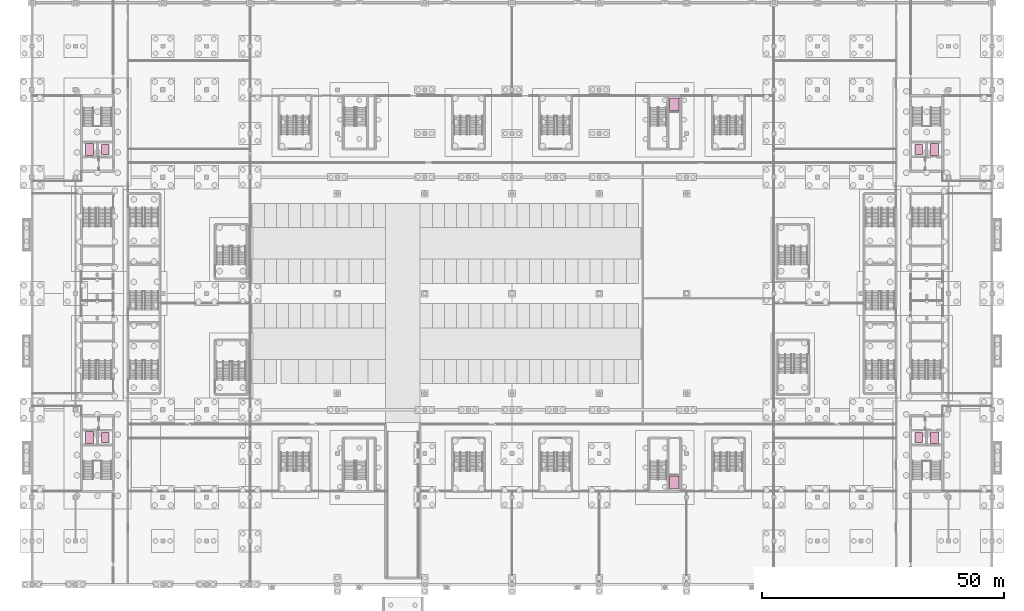
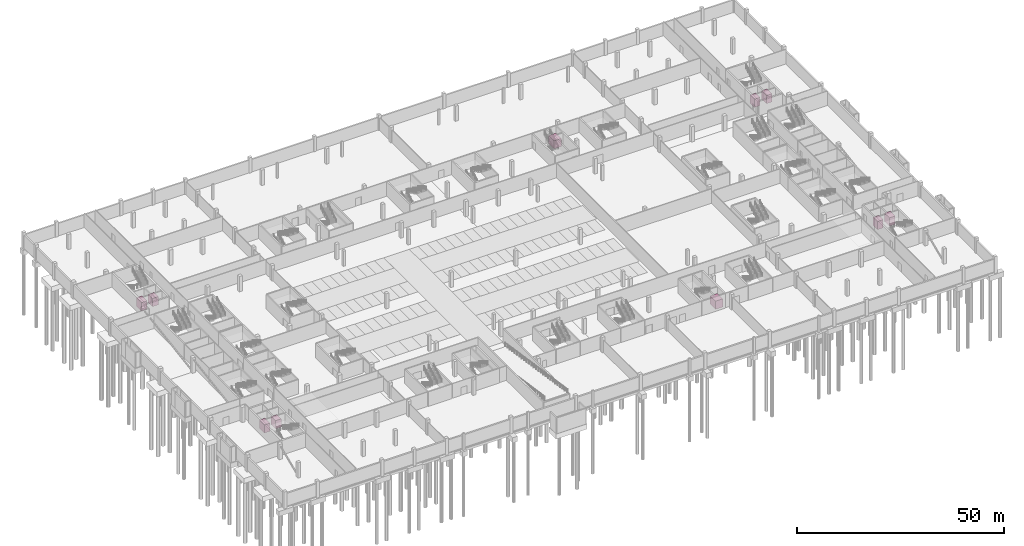
# One storey, part 46 of 46: 10 transport elements.
"""IFC4 building model written with IfcOpenShell, lengths in metres."""

from ifc_helpers import new_model, si_unit, direction, frame, origin, origin_2d, place, context, subcontext, project, spatial, rectangle, extrude, material, type_object, element, save


model = new_model("IFC4")

# Units and contexts
model_context = context("Model", 3, precision=1e-05, world=origin(), true_north=direction((0.0, 1.0)))
body_context = subcontext(model_context, "Body", "Model", "MODEL_VIEW")
ifc_project = project(units=[si_unit("LENGTHUNIT", "METRE"), si_unit("AREAUNIT", "SQUARE_METRE"), si_unit("VOLUMEUNIT", "CUBIC_METRE"), si_unit("PLANEANGLEUNIT", "RADIAN"), si_unit("MASSUNIT", "GRAM", prefix="KILO")], contexts=[model_context])

# Site, building, storey
site_placement = place(None, origin())
site = spatial("IfcSite", under=ifc_project, at=site_placement, CompositionType="ELEMENT")
building_placement = place(site_placement, origin())
building = spatial("IfcBuilding", under=site, at=building_placement, Name="Kisiwana Market Hall", CompositionType="ELEMENT")
storey_placement = place(building_placement, frame((0.0, 0.0, -4.5)))
storey = spatial("IfcBuildingStorey", under=building, at=storey_placement, Name="B1", CompositionType="ELEMENT", Elevation=-4.5)

# Transport elements
ifc_material_1 = material(Name="Steel S275", Category="steel")
transport_element_type_1 = type_object("IfcTransportElementType", Name="LIFT-FFL-1600", PredefinedType="ELEVATOR", material=ifc_material_1)
for number, where, z_axis, x_axis, name in (
    (1, (11.882568359375, 30.31494140625, 0.0), (0.0, 0.0, 1.0), (1.0, 0.0, 0.0), "Firefighting lift FFL-01"),
    (2, (11.882568359375, 89.68505859375, 0.0), (0.0, 0.0, 1.0), (1.0, 0.0, 0.0), "Firefighting lift FFL-02"),
    (3, (186.1298828125, 30.2900390625, 0.0), (0.0, 0.0, 1.0), (1.0, 0.0, 0.0), "Firefighting lift FFL-03"),
    (4, (186.1298828125, 89.7099609375, 0.0), (0.0, 0.0, 1.0), (1.0, 0.0, 0.0), "Firefighting lift FFL-04"),
):
    element("IfcTransportElement", number, at=place(storey_placement, frame(where, z_axis=z_axis, x_axis=x_axis)), inside=storey, type_object=transport_element_type_1, Name=name, PredefinedType="ELEVATOR", context=body_context, shape_type="SweptSolid", body=[
        extrude(rectangle(XDim=1.60009765625, YDim=2.39990234375, at=origin_2d()), origin(), (0.0, 0.0, 1.0), 2.39990234375),
    ])
ifc_material_2 = material(Name="Steel S275", Category="steel")
transport_element_type_2 = type_object("IfcTransportElementType", Name="LIFT-GDS-2500", PredefinedType="ELEVATOR", material=ifc_material_2)
for number, where, z_axis, x_axis, name in (
    (5, (132.4599609375, 21.030029296875, 0.0), (0.0, 0.0, 1.0), (1.0, 0.0, 0.0), "Goods service lift LG-01"),
    (6, (132.4599609375, 98.989990234375, 0.0), (0.0, 0.0, 1.0), (1.0, 0.0, 0.0), "Goods service lift LG-02"),
):
    element("IfcTransportElement", number, at=place(storey_placement, frame(where, z_axis=z_axis, x_axis=x_axis)), inside=storey, type_object=transport_element_type_2, Name=name, PredefinedType="ELEVATOR", context=body_context, shape_type="SweptSolid", body=[
        extrude(rectangle(XDim=2.0, YDim=2.60009765625, at=origin_2d()), origin(), (0.0, 0.0, 1.0), 2.39990234375),
    ])
ifc_material_3 = material(Name="Steel S275", Category="steel")
transport_element_type_3 = type_object("IfcTransportElementType", Name="LIFT-PAX-1600", PredefinedType="ELEVATOR", material=ifc_material_3)
for number, where, z_axis, x_axis, name in (
    (7, (15.117431640625, 30.31494140625, 0.0), (0.0, 0.0, 1.0), (1.0, 0.0, 0.0), "Passenger lift LP-01"),
    (8, (15.117431640625, 89.68505859375, 0.0), (0.0, 0.0, 1.0), (1.0, 0.0, 0.0), "Passenger lift LP-02"),
    (9, (182.8701171875, 30.2900390625, 0.0), (0.0, 0.0, 1.0), (1.0, 0.0, 0.0), "Passenger lift LP-03"),
    (10, (182.8701171875, 89.7099609375, 0.0), (0.0, 0.0, 1.0), (1.0, 0.0, 0.0), "Passenger lift LP-04"),
):
    element("IfcTransportElement", number, at=place(storey_placement, frame(where, z_axis=z_axis, x_axis=x_axis)), inside=storey, type_object=transport_element_type_3, Name=name, PredefinedType="ELEVATOR", context=body_context, shape_type="SweptSolid", body=[
        extrude(rectangle(XDim=1.60009765625, YDim=2.10009765625, at=origin_2d()), origin(), (0.0, 0.0, 1.0), 2.39990234375),
    ])

save(model, "model.ifc")
